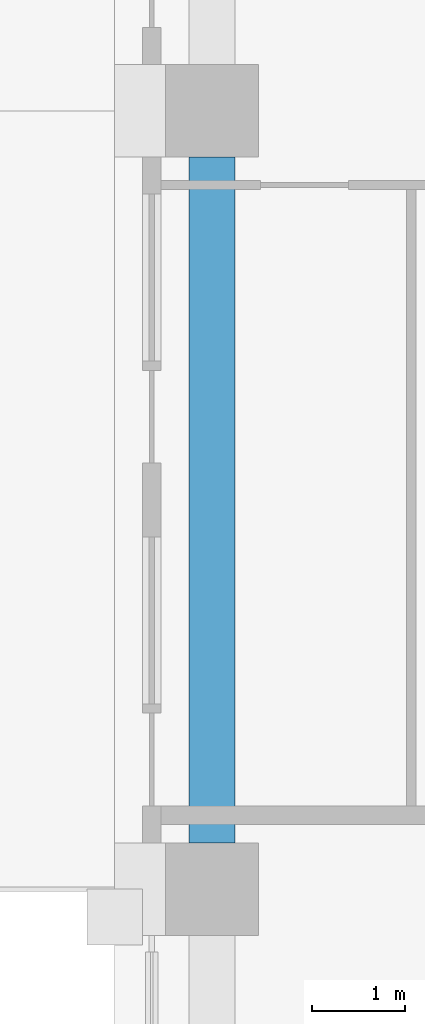
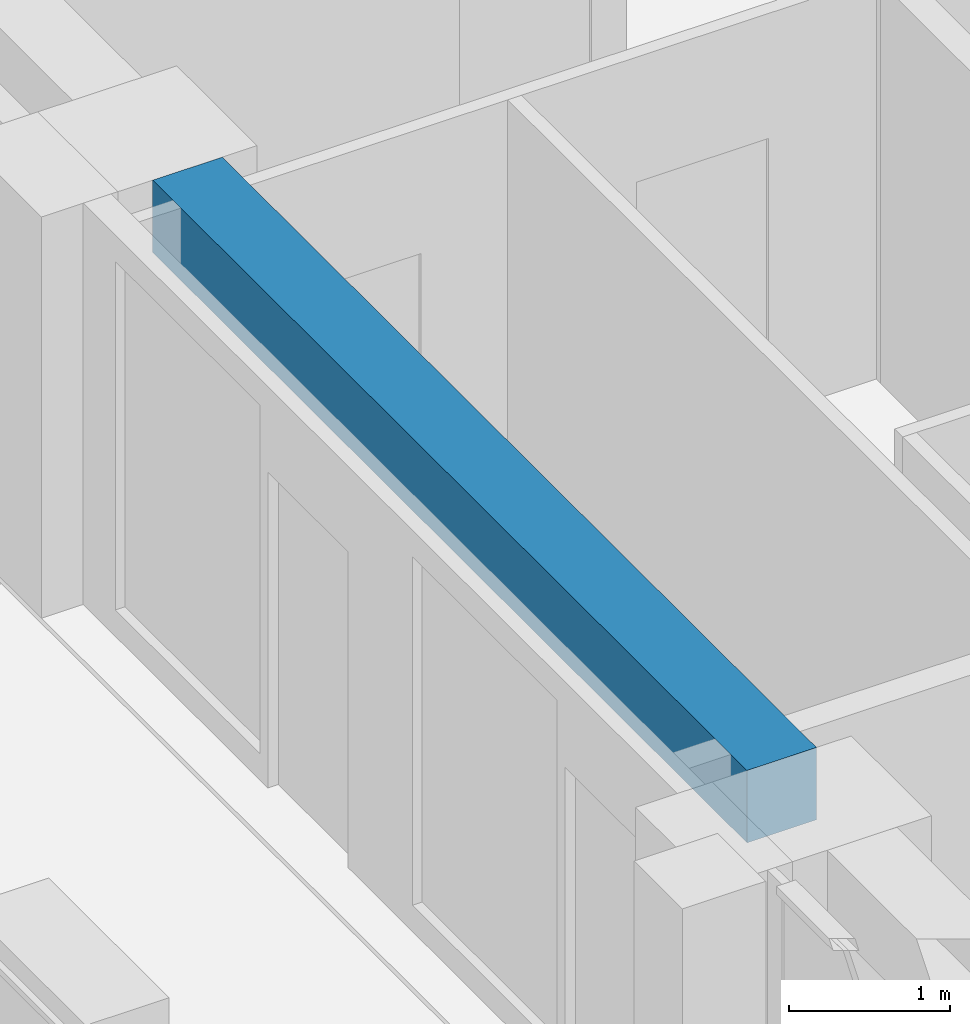
# One storey, part 3 of 17: 1 beam.
"""IFC4 building model written with IfcOpenShell, lengths in metres."""

import ifcopenshell
import ifcopenshell.guid

model = None  # the IFC model being written
_history = None  # IfcOwnerHistory: only IFC2X3 demands one
_inside = {}  # id of a spatial element -> (the spatial element, [elements in it])
_under = {}  # id of a project, library or spatial element -> (it, [spatial elements below it])
_declared = {}  # id of a project -> (the project, [libraries it declares])
_typed = {}  # id of a type object -> (the type object, [elements of that type])
_made_of = {}  # id of a material, layer set ... -> (it, [elements and type objects made of it])


def new_model(schema):
    """Start an empty IFC model of exactly this schema.

    Asked for "IFC4X3", IfcOpenShell would pick the latest addendum, in which some entities
    have other attributes; the version numbers below select the first issue.
    IFC2X3 requires an IfcOwnerHistory on every rooted entity: one is made here for all.
    """
    global model, _history
    if schema == "IFC4X3":
        model = ifcopenshell.file(schema_version=(4, 3, 0, 0))
    else:
        model = ifcopenshell.file(schema=schema)
    _inside.clear()
    _under.clear()
    _declared.clear()
    _typed.clear()
    _made_of.clear()
    _history = None
    if model.schema == "IFC2X3":
        org = make("IfcOrganization", Name="unknown")
        user = make(
            "IfcPersonAndOrganization",
            ThePerson=make("IfcPerson", FamilyName="unknown"),
            TheOrganization=org,
        )
        app = make(
            "IfcApplication",
            ApplicationDeveloper=org,
            Version="unknown",
            ApplicationFullName="unknown",
            ApplicationIdentifier="unknown",
        )
        _history = make(
            "IfcOwnerHistory",
            OwningUser=user,
            OwningApplication=app,
            ChangeAction="ADDED",
            CreationDate=0,
        )
    return model


def make(cls, **values):
    """One entity of the class cls with the attributes given. An attribute that is None is left unset."""
    return model.create_entity(
        cls, **{name: value for name, value in values.items() if value is not None}
    )


def rooted(cls, **values):
    """An entity with a GlobalId (a new one), such as an element, a storey or a relation."""
    return make(cls, GlobalId=ifcopenshell.guid.new(), OwnerHistory=_history, **values)


def si_unit(unit_type, name, prefix=None):
    """IfcSIUnit, for example si_unit("LENGTHUNIT", "METRE", prefix="MILLI")."""
    return make("IfcSIUnit", UnitType=unit_type, Prefix=prefix, Name=name)


def assignment(units):
    """IfcUnitAssignment: the units of a project."""
    return None if units is None else make("IfcUnitAssignment", Units=units)


def point(xyz):
    """IfcCartesianPoint."""
    return None if xyz is None else make("IfcCartesianPoint", Coordinates=xyz)


def direction(xyz):
    """IfcDirection."""
    return None if xyz is None else make("IfcDirection", DirectionRatios=xyz)


def frame(location, z_axis=None, x_axis=None):
    """IfcAxis2Placement3D, a coordinate frame: its origin and axes. An axis left out is left unset."""
    return make(
        "IfcAxis2Placement3D",
        Location=point(location),
        Axis=direction(z_axis),
        RefDirection=direction(x_axis),
    )


def frame_2d(location, x_axis=None):
    """IfcAxis2Placement2D, a coordinate frame in the plane: its origin and x axis."""
    return make(
        "IfcAxis2Placement2D", Location=point(location), RefDirection=direction(x_axis)
    )


def origin():
    """The frame at (0, 0, 0) with its axes left unset."""
    return frame((0.0, 0.0, 0.0))


def origin_2d():
    """The frame at (0, 0) in the plane with its x axis left unset."""
    return frame_2d((0.0, 0.0))


def place(relative_to, where):
    """IfcLocalPlacement: puts the frame where relative to a parent placement (None: the world)."""
    return make(
        "IfcLocalPlacement", PlacementRelTo=relative_to, RelativePlacement=where
    )


def context(
    kind, dimensions, precision=None, world=None, true_north=None, identifier=None
):
    """IfcGeometricRepresentationContext, for example the 3D "Model" context."""
    return make(
        "IfcGeometricRepresentationContext",
        ContextIdentifier=identifier,
        ContextType=kind,
        CoordinateSpaceDimension=dimensions,
        Precision=precision,
        WorldCoordinateSystem=world,
        TrueNorth=true_north,
    )


def subcontext(parent, identifier, kind, view, scale=None):
    """IfcGeometricRepresentationSubContext, for example "Body" below "Model"."""
    return make(
        "IfcGeometricRepresentationSubContext",
        ContextIdentifier=identifier,
        ContextType=kind,
        ParentContext=parent,
        TargetScale=scale,
        TargetView=view,
    )


def project(units=None, contexts=None):
    """IfcProject with its units and contexts."""
    return rooted(
        "IfcProject",
        Name="project",
        RepresentationContexts=contexts,
        UnitsInContext=assignment(units),
    )


def spatial(cls, under=None, at=None, **own):
    """A site, building, storey or space (cls), placed at a placement, below another one or the project."""
    s = rooted(cls, ObjectPlacement=at, **own)
    if under is not None:
        _under.setdefault(under.id(), (under, []))[1].append(s)
    return s


def profile(cls, at=None, kind="AREA", **sizes):
    """A parametric profile (cls). Its sizes go by their IFC names, for example OverallWidth=200.0."""
    return make(cls, ProfileType=kind, Position=at, **sizes)


def rectangle(**sizes):
    """IfcRectangleProfileDef."""
    return profile("IfcRectangleProfileDef", **sizes)


def extrude(swept, where, along, depth):
    """IfcExtrudedAreaSolid: the profile swept, set in the frame where, extruded along a direction by depth."""
    return make(
        "IfcExtrudedAreaSolid",
        SweptArea=swept,
        Position=where,
        ExtrudedDirection=direction(along),
        Depth=depth,
    )


def shape(context_of_items, identifier, shape_type, items):
    """IfcShapeRepresentation: the items that make up one representation, for example the "Body"."""
    return make(
        "IfcShapeRepresentation",
        ContextOfItems=context_of_items,
        RepresentationIdentifier=identifier,
        RepresentationType=shape_type,
        Items=items,
    )


def material(Name=None, Category=None):
    """IfcMaterial."""
    return make("IfcMaterial", Name=Name, Category=Category)


def material_profile(
    of_material, cross_section, Name=None, Category=None, Priority=None
):
    """IfcMaterialProfile: a cross section and its material."""
    return make(
        "IfcMaterialProfile",
        Name=Name,
        Material=of_material,
        Profile=cross_section,
        Priority=Priority,
        Category=Category,
    )


def profile_set(profiles, Name=None, composite=None):
    """IfcMaterialProfileSet."""
    return make(
        "IfcMaterialProfileSet",
        Name=Name,
        MaterialProfiles=profiles,
        CompositeProfile=composite,
    )


def made_of(thing, what):
    """Note that an element or type object is made of a material, layer set ...; save() writes the relation."""
    if what is not None:
        _made_of.setdefault(what.id(), (what, []))[1].append(thing)
    return thing


def type_object(cls, material=None, **own):
    """A type object (cls), such as IfcWallType, which elements share."""
    return made_of(rooted(cls, **own), material)


def element(
    cls,
    number,
    at=None,
    inside=None,
    cuts=None,
    type_object=None,
    material=None,
    context=None,
    identifier="Body",
    shape_type=None,
    held_by="IfcProductDefinitionShape",
    body=None,
    shapes=None,
    **own,
):
    """One element of the class cls, such as IfcWall. Its Tag is "e" and its number.

    at: its placement. inside: the storey or other place that contains it. cuts: it is an
    opening in that element (IfcRelVoidsElement). A single representation is given by context,
    identifier, shape_type and body (its items); several are given by shapes. held_by: the class
    of the entity that holds the representations. save() writes the other relations.
    """
    e = rooted(cls, Tag="e%d" % number, ObjectPlacement=at, **own)
    if body is not None:
        shapes = [shape(context, identifier, shape_type, body)]
    if shapes is not None:
        e.Representation = make(held_by, Representations=shapes)
    if inside is not None:
        _inside.setdefault(inside.id(), (inside, []))[1].append(e)
    if cuts is not None:
        rooted(
            "IfcRelVoidsElement", RelatingBuildingElement=cuts, RelatedOpeningElement=e
        )
    if type_object is not None:
        _typed.setdefault(type_object.id(), (type_object, []))[1].append(e)
    return made_of(e, material)


def aggregate(whole, parts):
    """IfcRelAggregates: a whole, such as a stair, and the parts it consists of."""
    return rooted("IfcRelAggregates", RelatingObject=whole, RelatedObjects=parts)


def save(model, path):
    """Write the relations noted so far, then the file.

    IfcRelAggregates (storeys below a building ...), IfcRelContainedInSpatialStructure (elements
    in a storey), IfcRelDefinesByType, IfcRelAssociatesMaterial and IfcRelDeclares: one each for
    every whole, place, type object, material and project.
    """
    for whole, parts in _under.values():
        aggregate(whole, parts)
    for where, things in _inside.values():
        rooted(
            "IfcRelContainedInSpatialStructure",
            RelatedElements=things,
            RelatingStructure=where,
        )
    for kind, things in _typed.values():
        rooted("IfcRelDefinesByType", RelatedObjects=things, RelatingType=kind)
    for what, things in _made_of.values():
        rooted("IfcRelAssociatesMaterial", RelatedObjects=things, RelatingMaterial=what)
    for by, libraries in _declared.values():
        rooted("IfcRelDeclares", RelatingContext=by, RelatedDefinitions=libraries)
    model.write(path)


model = new_model("IFC4")

# Units and contexts
model_context = context("Model", 3, precision=1e-05, world=origin(), true_north=direction((0.0, 1.0)))
body_context = subcontext(model_context, "Body", "Model", "MODEL_VIEW")
ifc_project = project(units=[si_unit("LENGTHUNIT", "METRE"), si_unit("AREAUNIT", "SQUARE_METRE"), si_unit("VOLUMEUNIT", "CUBIC_METRE"), si_unit("PLANEANGLEUNIT", "RADIAN"), si_unit("MASSUNIT", "GRAM", prefix="KILO")], contexts=[model_context])

# Site, building, storey
site_placement = place(None, origin())
site = spatial("IfcSite", under=ifc_project, at=site_placement, CompositionType="ELEMENT")
building_placement = place(site_placement, origin())
building = spatial("IfcBuilding", under=site, at=building_placement, Name="Vermilion Ogive Tower", CompositionType="ELEMENT")
storey_placement = place(building_placement, frame((0.0, 0.0, 192.800048828125)))
storey = spatial("IfcBuildingStorey", under=building, at=storey_placement, Name="L50", CompositionType="ELEMENT", Elevation=192.800048828125)

# Beam
ifc_material = material(Name="Concrete B45", Category="concrete")
ifc_material_profile = material_profile(ifc_material, rectangle(XDim=0.5, YDim=0.550048828125, at=origin_2d()), Name="500 x 550")
ifc_profile_set = profile_set([ifc_material_profile], Name="Concrete B45")
beam_type = type_object("IfcBeamType", Name="Edge beam 500 x 550 B45", PredefinedType="BEAM", material=ifc_profile_set)
beam_placement = place(storey_placement, frame((-25.199951171875, 3.699951171875, 2.77490234375), z_axis=(0.0, -1.0, 0.0), x_axis=(1.0, 0.0, 0.0)))
element("IfcBeam", 1, at=beam_placement, inside=storey, type_object=beam_type, Name="L50-EB-15", PredefinedType="BEAM", context=body_context, shape_type="SweptSolid", body=[
    extrude(rectangle(XDim=0.5, YDim=0.550048828125, at=origin_2d()), origin(), (0.0, 0.0, 1.0), 7.39990234375),
])

save(model, "model.ifc")
